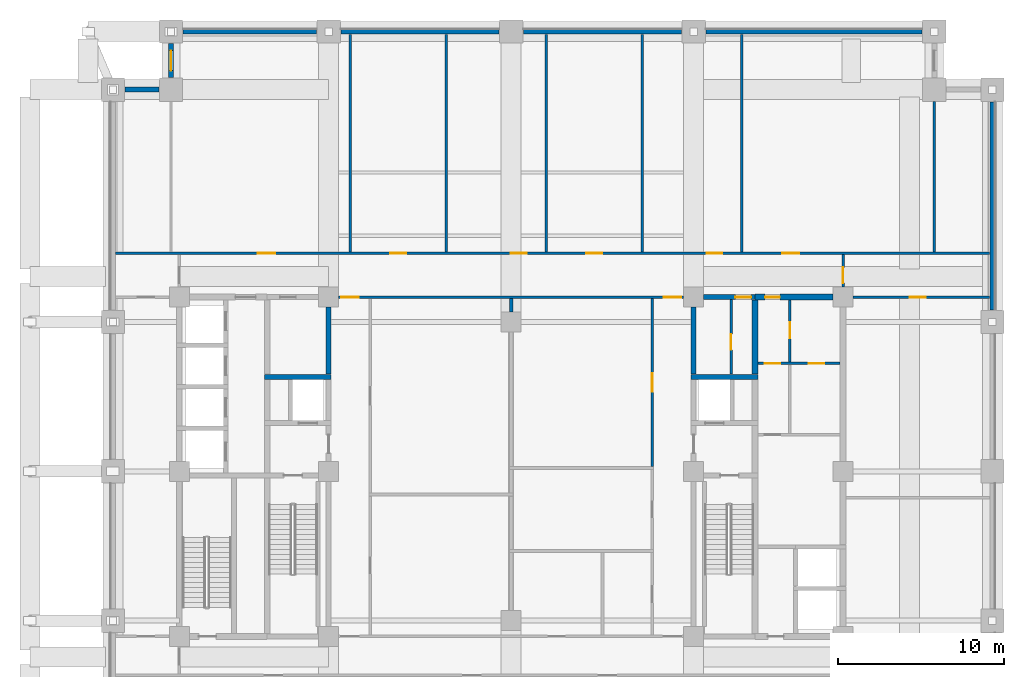
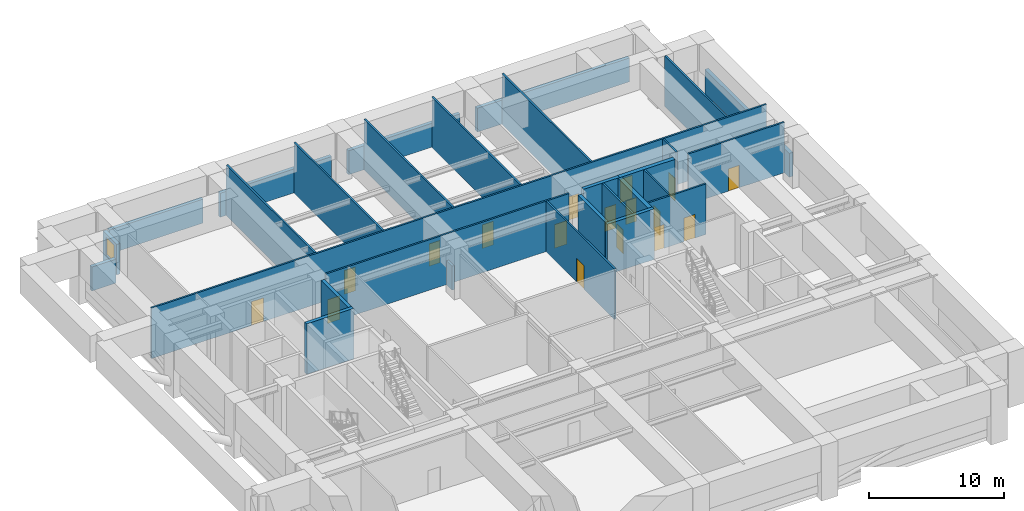
# One storey, part 5 of 11: 29 walls, 17 doors, 1 window, 18 openings.
"""IFC4 building model written with IfcOpenShell, lengths in metres."""

from ifc_helpers import new_model, si_unit, direction, frame, frame_2d, origin, place, context, subcontext, project, spatial, rectangle, extrude, material, layer, layer_set, type_object, element, fill, save


model = new_model("IFC4")

# Units and contexts
model_context = context("Model", 3, precision=1e-05, world=origin(), true_north=direction((0.0, 1.0)))
body_context = subcontext(model_context, "Body", "Model", "MODEL_VIEW")
ifc_project = project(units=[si_unit("LENGTHUNIT", "METRE"), si_unit("AREAUNIT", "SQUARE_METRE"), si_unit("VOLUMEUNIT", "CUBIC_METRE"), si_unit("PLANEANGLEUNIT", "RADIAN"), si_unit("MASSUNIT", "GRAM", prefix="KILO")], contexts=[model_context])

# Site, building, storey
site_placement = place(None, origin())
site = spatial("IfcSite", under=ifc_project, at=site_placement, CompositionType="ELEMENT")
building_placement = place(site_placement, origin())
building = spatial("IfcBuilding", under=site, at=building_placement, Name="Zulmaris Gate Convention Tower", CompositionType="ELEMENT")
storey_placement = place(building_placement, frame((0.0, 0.0, 52.18994140625)))
storey = spatial("IfcBuildingStorey", under=building, at=storey_placement, Name="L12", CompositionType="ELEMENT", Elevation=52.18994140625)

# Walls
ifc_material_1 = material(Name="Concrete C50/60", Category="concrete")
ifc_layer_1 = layer(ifc_material_1, 0.300048828125, Name="Concrete C50/60")
ifc_layer_set_1 = layer_set([ifc_layer_1], Name="Concrete C50/60")
wall_type_1 = type_object("IfcWallType", Name="CORE-300", PredefinedType="SHEAR", material=ifc_layer_set_1)
for number, where, z_axis, x_axis, name in (
    (1, (-14.875, 5.699951171875, 0.0), (0.0, 0.0, 1.0), (1.0, 0.0, 0.0), "WL-L12-013"),
    (2, (10.85009765625, 5.699951171875, 0.0), (0.0, 0.0, 1.0), (1.0, 0.0, 0.0), "WL-L12-014"),
):
    element("IfcWall", number, at=place(storey_placement, frame(where, z_axis=z_axis, x_axis=x_axis)), inside=storey, type_object=wall_type_1, Name=name, PredefinedType="SHEAR", context=body_context, shape_type="SweptSolid", body=[
        extrude(rectangle(XDim=4.02490234375, YDim=0.300048828125, at=frame_2d((2.012451171875, 0.0))), origin(), (0.0, 0.0, 1.0), 4.574951171875),
    ])

# Wall, opening, door
wall_1_placement = place(storey_placement, frame((11.60400390625, 10.5, 0.0), z_axis=(0.0, 0.0, 1.0), x_axis=(1.0, 0.0, 0.0)))
wall_1 = element("IfcWall", 3, at=wall_1_placement, inside=storey, type_object=wall_type_1, Name="WL-L12-018", PredefinedType="SHEAR", context=body_context, shape_type="SweptSolid", body=[
    extrude(rectangle(XDim=3.095947265625, YDim=0.300048828125, at=frame_2d((1.5478515625, 0.0))), origin(), (0.0, 0.0, 1.0), 4.574951171875),
])
opening_1_placement = place(wall_1_placement, frame((1.90087890625, 0.0, 0.0)))
opening_1 = element("IfcOpeningElement", 4, at=opening_1_placement, cuts=wall_1, Name="Opening D-11", PredefinedType="OPENING", context=body_context, shape_type="SweptSolid", body=[
    extrude(rectangle(XDim=0.949951171875, YDim=2.14990234375, at=frame_2d((0.47509765625, 1.074951171875))), frame((0.0, 0.16015625, 0.0), z_axis=(0.0, -1.0, 0.0), x_axis=(1.0, 0.0, 0.0)), (0.0, 0.0, 1.0), 0.320068359375),
])
ifc_material_2 = material(Name="Fire-Rated Timber", Category="wood")
door_type_1 = type_object("IfcDoorType", Name="DR-950-FD", OperationType="NOTDEFINED", PredefinedType="DOOR", material=ifc_material_2)
door_1_placement = place(opening_1_placement, origin())
door_1 = element("IfcDoor", 5, at=door_1_placement, inside=storey, type_object=door_type_1, Name="L12 Core Linen Closet Door 08", OperationType="SINGLE_SWING_RIGHT", OverallHeight=2.14990234375, OverallWidth=0.949951171875, PredefinedType="DOOR", context=body_context, shape_type="SweptSolid", body=[
    extrude(rectangle(XDim=0.949951171875, YDim=2.14990234375, at=frame_2d((0.47509765625, 1.074951171875))), frame((0.0, 0.02490234375, 0.0), z_axis=(0.0, -1.0, 0.0), x_axis=(1.0, 0.0, 0.0)), (0.0, 0.0, 1.0), 0.050048828125),
])
fill(opening_1, door_1)

# Walls
for number, where, z_axis, x_axis, name in (
    (6, (-11.0, 5.85205078125, 0.0), (0.0, 0.0, 1.0), (0.0, 1.0, 0.0), "WL-L12-054"),
    (7, (11.0, 5.85205078125, 0.0), (0.0, 0.0, 1.0), (0.0, 1.0, 0.0), "WL-L12-058"),
):
    element("IfcWall", number, at=place(storey_placement, frame(where, z_axis=z_axis, x_axis=x_axis)), inside=storey, type_object=wall_type_1, Name=name, PredefinedType="SHEAR", context=body_context, shape_type="SweptSolid", body=[
        extrude(rectangle(XDim=4.0439453125, YDim=0.300048828125, at=frame_2d((2.02197265625, 0.0))), origin(), (0.0, 0.0, 1.0), 4.574951171875),
    ])

# Wall, opening, door
ifc_material_3 = material(Name="Concrete C55/67", Category="concrete")
ifc_layer_2 = layer(ifc_material_3, 0.35009765625, Name="Concrete C55/67")
ifc_layer_set_2 = layer_set([ifc_layer_2], Name="Concrete C55/67")
wall_type_2 = type_object("IfcWallType", Name="CORE-350", PredefinedType="SHEAR", material=ifc_layer_set_2)
wall_2_placement = place(storey_placement, frame((14.699951171875, 10.5, 0.0), z_axis=(0.0, 0.0, 1.0), x_axis=(1.0, 0.0, 0.0)))
wall_2 = element("IfcWall", 8, at=wall_2_placement, inside=storey, type_object=wall_type_2, Name="WL-L12-019", PredefinedType="SHEAR", context=body_context, shape_type="SweptSolid", body=[
    extrude(rectangle(XDim=4.696044921875, YDim=0.35009765625, at=frame_2d((2.34814453125, 0.0))), origin(), (0.0, 0.0, 1.0), 4.574951171875),
])
opening_2_placement = place(wall_2_placement, frame((0.60009765625, 0.0, 0.0)))
opening_2 = element("IfcOpeningElement", 9, at=opening_2_placement, cuts=wall_2, Name="Opening D-12", PredefinedType="OPENING", context=body_context, shape_type="SweptSolid", body=[
    extrude(rectangle(XDim=0.89990234375, YDim=2.14990234375, at=frame_2d((0.449951171875, 1.074951171875))), frame((0.0, 0.18505859375, 0.0), z_axis=(0.0, -1.0, 0.0), x_axis=(1.0, 0.0, 0.0)), (0.0, 0.0, 1.0), 0.3701171875),
])
door_type_2 = type_object("IfcDoorType", Name="DR-900-FD", OperationType="NOTDEFINED", PredefinedType="DOOR", material=ifc_material_2)
door_2_placement = place(opening_2_placement, origin())
door_2 = element("IfcDoor", 10, at=door_2_placement, inside=storey, type_object=door_type_2, Name="L12 East Service Passage Door 17", OperationType="SINGLE_SWING_LEFT", OverallHeight=2.14990234375, OverallWidth=0.89990234375, PredefinedType="DOOR", context=body_context, shape_type="SweptSolid", body=[
    extrude(rectangle(XDim=0.89990234375, YDim=2.14990234375, at=frame_2d((0.449951171875, 1.074951171875))), frame((0.0, 0.02490234375, 0.0), z_axis=(0.0, -1.0, 0.0), x_axis=(1.0, 0.0, 0.0)), (0.0, 0.0, 1.0), 0.050048828125),
])
fill(opening_2, door_2)

# Wall
wall_3_placement = place(storey_placement, frame((14.699951171875, 5.85205078125, 0.0), z_axis=(0.0, 0.0, 1.0), x_axis=(0.0, 1.0, 0.0)))
element("IfcWall", 11, at=wall_3_placement, inside=storey, type_object=wall_type_2, Name="WL-L12-064", PredefinedType="SHEAR", context=body_context, shape_type="SweptSolid", body=[
    extrude(rectangle(XDim=4.470947265625, YDim=0.35009765625, at=frame_2d((2.2353515625, 0.0))), origin(), (0.0, 0.0, 1.0), 4.574951171875),
])

# Wall, openings, doors
ifc_material_4 = material(Name="Gypsum Metal Stud Partition")
ifc_layer_3 = layer(ifc_material_4, 0.14990234375, Name="Gypsum Metal Stud Partition")
ifc_layer_set_3 = layer_set([ifc_layer_3], Name="Gypsum Metal Stud Partition")
wall_type_3 = type_object("IfcWallType", Name="PART-150", PredefinedType="PARTITIONING", material=ifc_layer_set_3)
wall_4_placement = place(storey_placement, frame((14.8779296875, 6.5, 0.0), z_axis=(0.0, 0.0, 1.0), x_axis=(1.0, 0.0, 0.0)))
wall_4 = element("IfcWall", 12, at=wall_4_placement, inside=storey, type_object=wall_type_3, Name="WL-L12-030", PredefinedType="PARTITIONING", context=body_context, shape_type="SweptSolid", body=[
    extrude(rectangle(XDim=4.944091796875, YDim=0.14990234375, at=frame_2d((2.47216796875, 0.0))), origin(), (0.0, 0.0, 1.0), 4.574951171875),
])
opening_3_placement = place(wall_4_placement, frame((0.39697265625, 0.0, 0.0)))
opening_3 = element("IfcOpeningElement", 13, at=opening_3_placement, cuts=wall_4, Name="Opening D-11", PredefinedType="OPENING", context=body_context, shape_type="SweptSolid", body=[
    extrude(rectangle(XDim=0.949951171875, YDim=2.14990234375, at=frame_2d((0.47509765625, 1.074951171875))), frame((0.0, 0.0849609375, 0.0), z_axis=(0.0, -1.0, 0.0), x_axis=(1.0, 0.0, 0.0)), (0.0, 0.0, 1.0), 0.169921875),
])
opening_4_placement = place(wall_4_placement, frame((3.047119140625, 0.0, 0.0)))
opening_4 = element("IfcOpeningElement", 14, at=opening_4_placement, cuts=wall_4, Name="Opening D-11", PredefinedType="OPENING", context=body_context, shape_type="SweptSolid", body=[
    extrude(rectangle(XDim=0.949951171875, YDim=2.14990234375, at=frame_2d((0.47509765625, 1.074951171875))), frame((0.0, 0.0849609375, 0.0), z_axis=(0.0, -1.0, 0.0), x_axis=(1.0, 0.0, 0.0)), (0.0, 0.0, 1.0), 0.169921875),
])
door_3_placement = place(opening_3_placement, origin())
door_3 = element("IfcDoor", 15, at=door_3_placement, inside=storey, type_object=door_type_1, Name="L12 East Staff WC Door 18", OperationType="SINGLE_SWING_RIGHT", OverallHeight=2.14990234375, OverallWidth=0.949951171875, PredefinedType="DOOR", context=body_context, shape_type="SweptSolid", body=[
    extrude(rectangle(XDim=0.949951171875, YDim=2.14990234375, at=frame_2d((0.47509765625, 1.074951171875))), frame((0.0, 0.02490234375, 0.0), z_axis=(0.0, -1.0, 0.0), x_axis=(1.0, 0.0, 0.0)), (0.0, 0.0, 1.0), 0.050048828125),
])
fill(opening_3, door_3)
door_4_placement = place(opening_4_placement, origin())
door_4 = element("IfcDoor", 16, at=door_4_placement, inside=storey, type_object=door_type_1, Name="L12 East Catering Store Door 21", OperationType="SINGLE_SWING_LEFT", OverallHeight=2.14990234375, OverallWidth=0.949951171875, PredefinedType="DOOR", context=body_context, shape_type="SweptSolid", body=[
    extrude(rectangle(XDim=0.949951171875, YDim=2.14990234375, at=frame_2d((0.47509765625, 1.074951171875))), frame((0.0, 0.02490234375, 0.0), z_axis=(0.0, -1.0, 0.0), x_axis=(1.0, 0.0, 0.0)), (0.0, 0.0, 1.0), 0.050048828125),
])
fill(opening_4, door_4)

wall_5_placement = place(storey_placement, frame((-10.39404296875, 10.5, 0.0), z_axis=(0.0, 0.0, 1.0), x_axis=(1.0, 0.0, 0.0)))
wall_5 = element("IfcWall", 17, at=wall_5_placement, inside=storey, type_object=wall_type_3, Name="WL-L12-032", PredefinedType="PARTITIONING", context=body_context, shape_type="SweptSolid", body=[
    extrude(rectangle(XDim=20.7880859375, YDim=0.14990234375, at=frame_2d((10.39404296875, 0.0))), origin(), (0.0, 0.0, 1.0), 4.574951171875),
])
opening_5_placement = place(wall_5_placement, frame((0.14990234375, 0.0, 0.0)))
opening_5 = element("IfcOpeningElement", 18, at=opening_5_placement, cuts=wall_5, Name="Opening D-09", PredefinedType="OPENING", context=body_context, shape_type="SweptSolid", body=[
    extrude(rectangle(XDim=1.050048828125, YDim=2.14990234375, at=frame_2d((0.52490234375, 1.074951171875))), frame((0.0, 0.0849609375, 0.0), z_axis=(0.0, -1.0, 0.0), x_axis=(1.0, 0.0, 0.0)), (0.0, 0.0, 1.0), 0.169921875),
])
opening_6_placement = place(wall_5_placement, frame((19.587890625, 0.0, 0.0)))
opening_6 = element("IfcOpeningElement", 19, at=opening_6_placement, cuts=wall_5, Name="Opening D-09", PredefinedType="OPENING", context=body_context, shape_type="SweptSolid", body=[
    extrude(rectangle(XDim=1.050048828125, YDim=2.14990234375, at=frame_2d((0.52490234375, 1.074951171875))), frame((0.0, 0.0849609375, 0.0), z_axis=(0.0, -1.0, 0.0), x_axis=(1.0, 0.0, 0.0)), (0.0, 0.0, 1.0), 0.169921875),
])
ifc_material_5 = material(Name="Fire-Rated Steel", Category="steel")
door_type_3 = type_object("IfcDoorType", Name="DR-1050-FD", OperationType="NOTDEFINED", PredefinedType="DOOR", material=ifc_material_5)
door_5_placement = place(opening_5_placement, origin())
door_5 = element("IfcDoor", 20, at=door_5_placement, inside=storey, type_object=door_type_3, Name="L12 NW Spine Link Door 22", OperationType="SINGLE_SWING_RIGHT", OverallHeight=2.14990234375, OverallWidth=1.050048828125, PredefinedType="DOOR", context=body_context, shape_type="SweptSolid", body=[
    extrude(rectangle(XDim=1.050048828125, YDim=2.14990234375, at=frame_2d((0.52490234375, 1.074951171875))), frame((0.0, 0.02490234375, 0.0), z_axis=(0.0, -1.0, 0.0), x_axis=(1.0, 0.0, 0.0)), (0.0, 0.0, 1.0), 0.050048828125),
])
fill(opening_5, door_5)
door_6_placement = place(opening_6_placement, origin())
door_6 = element("IfcDoor", 21, at=door_6_placement, inside=storey, type_object=door_type_3, Name="L12 NE Spine Link Door 24", OperationType="SINGLE_SWING_RIGHT", OverallHeight=2.14990234375, OverallWidth=1.050048828125, PredefinedType="DOOR", context=body_context, shape_type="SweptSolid", body=[
    extrude(rectangle(XDim=1.050048828125, YDim=2.14990234375, at=frame_2d((0.52490234375, 1.074951171875))), frame((0.0, 0.02490234375, 0.0), z_axis=(0.0, -1.0, 0.0), x_axis=(1.0, 0.0, 0.0)), (0.0, 0.0, 1.0), 0.050048828125),
])
fill(opening_6, door_6)

# Wall, opening, door
wall_6_placement = place(storey_placement, frame((20.60595703125, 10.5, 0.0), z_axis=(0.0, 0.0, 1.0), x_axis=(1.0, 0.0, 0.0)))
wall_6 = element("IfcWall", 22, at=wall_6_placement, inside=storey, type_object=wall_type_3, Name="WL-L12-033", PredefinedType="PARTITIONING", context=body_context, shape_type="SweptSolid", body=[
    extrude(rectangle(XDim=8.22900390625, YDim=0.14990234375, at=frame_2d((4.114501953125, 0.0))), origin(), (0.0, 0.0, 1.0), 4.574951171875),
])
opening_7_placement = place(wall_6_placement, frame((3.4189453125, 0.0, 0.0)))
opening_7 = element("IfcOpeningElement", 23, at=opening_7_placement, cuts=wall_6, Name="Opening D-25", PredefinedType="OPENING", context=body_context, shape_type="SweptSolid", body=[
    extrude(rectangle(XDim=0.949951171875, YDim=2.02001953125, at=frame_2d((0.47509765625, 1.010009765625))), frame((0.0, 0.0849609375, 0.0), z_axis=(0.0, -1.0, 0.0), x_axis=(1.0, 0.0, 0.0)), (0.0, 0.0, 1.0), 0.169921875),
])
door_type_4 = type_object("IfcDoorType", Name="DR-950-LOW-FD", OperationType="NOTDEFINED", PredefinedType="DOOR", material=ifc_material_5)
door_7_placement = place(opening_7_placement, origin())
door_7 = element("IfcDoor", 24, at=door_7_placement, inside=storey, type_object=door_type_4, Name="L12 NE Partner Door 47", OperationType="SINGLE_SWING_LEFT", OverallHeight=2.02001953125, OverallWidth=0.949951171875, PredefinedType="DOOR", context=body_context, shape_type="SweptSolid", body=[
    extrude(rectangle(XDim=0.949951171875, YDim=2.02001953125, at=frame_2d((0.47509765625, 1.010009765625))), frame((0.0, 0.02490234375, 0.0), z_axis=(0.0, -1.0, 0.0), x_axis=(1.0, 0.0, 0.0)), (0.0, 0.0, 1.0), 0.050048828125),
])
fill(opening_7, door_7)

# Wall, openings, doors
wall_7_placement = place(storey_placement, frame((-23.8349609375, 13.14990234375, 0.0), z_axis=(0.0, 0.0, 1.0), x_axis=(1.0, 0.0, 0.0)))
wall_7 = element("IfcWall", 25, at=wall_7_placement, inside=storey, type_object=wall_type_3, Name="WL-L12-034", PredefinedType="PARTITIONING", context=body_context, shape_type="SweptSolid", body=[
    extrude(rectangle(XDim=52.669921875, YDim=0.14990234375, at=frame_2d((26.3349609375, 0.0))), origin(), (0.0, 0.0, 1.0), 4.574951171875),
])
opening_8_placement = place(wall_7_placement, frame((8.56005859375, 0.0, 0.0)))
opening_8 = element("IfcOpeningElement", 26, at=opening_8_placement, cuts=wall_7, Name="Opening D-09", PredefinedType="OPENING", context=body_context, shape_type="SweptSolid", body=[
    extrude(rectangle(XDim=1.050048828125, YDim=2.14990234375, at=frame_2d((0.52490234375, 1.074951171875))), frame((0.0, 0.0849609375, 0.0), z_axis=(0.0, -1.0, 0.0), x_axis=(1.0, 0.0, 0.0)), (0.0, 0.0, 1.0), 0.169921875),
])
opening_9_placement = place(wall_7_placement, frame((16.56005859375, 0.0, 0.0)))
opening_9 = element("IfcOpeningElement", 27, at=opening_9_placement, cuts=wall_7, Name="Opening D-11", PredefinedType="OPENING", context=body_context, shape_type="SweptSolid", body=[
    extrude(rectangle(XDim=0.949951171875, YDim=2.14990234375, at=frame_2d((0.47509765625, 1.074951171875))), frame((0.0, 0.0849609375, 0.0), z_axis=(0.0, -1.0, 0.0), x_axis=(1.0, 0.0, 0.0)), (0.0, 0.0, 1.0), 0.169921875),
])
opening_10_placement = place(wall_7_placement, frame((23.81005859375, 0.0, 0.0)))
opening_10 = element("IfcOpeningElement", 28, at=opening_10_placement, cuts=wall_7, Name="Opening D-25", PredefinedType="OPENING", context=body_context, shape_type="SweptSolid", body=[
    extrude(rectangle(XDim=0.949951171875, YDim=2.02001953125, at=frame_2d((0.47509765625, 1.010009765625))), frame((0.0, 0.0849609375, 0.0), z_axis=(0.0, -1.0, 0.0), x_axis=(1.0, 0.0, 0.0)), (0.0, 0.0, 1.0), 0.169921875),
])
opening_11_placement = place(wall_7_placement, frame((28.360107421875, 0.0, 0.0)))
opening_11 = element("IfcOpeningElement", 29, at=opening_11_placement, cuts=wall_7, Name="Opening D-11", PredefinedType="OPENING", context=body_context, shape_type="SweptSolid", body=[
    extrude(rectangle(XDim=0.949951171875, YDim=2.14990234375, at=frame_2d((0.47509765625, 1.074951171875))), frame((0.0, 0.0849609375, 0.0), z_axis=(0.0, -1.0, 0.0), x_axis=(1.0, 0.0, 0.0)), (0.0, 0.0, 1.0), 0.169921875),
])
opening_12_placement = place(wall_7_placement, frame((35.610107421875, 0.0, 0.0)))
opening_12 = element("IfcOpeningElement", 30, at=opening_12_placement, cuts=wall_7, Name="Opening D-11", PredefinedType="OPENING", context=body_context, shape_type="SweptSolid", body=[
    extrude(rectangle(XDim=0.949951171875, YDim=2.14990234375, at=frame_2d((0.47509765625, 1.074951171875))), frame((0.0, 0.0849609375, 0.0), z_axis=(0.0, -1.0, 0.0), x_axis=(1.0, 0.0, 0.0)), (0.0, 0.0, 1.0), 0.169921875),
])
opening_13_placement = place(wall_7_placement, frame((40.159912109375, 0.0, 0.0)))
opening_13 = element("IfcOpeningElement", 31, at=opening_13_placement, cuts=wall_7, Name="Opening D-09", PredefinedType="OPENING", context=body_context, shape_type="SweptSolid", body=[
    extrude(rectangle(XDim=1.050048828125, YDim=2.14990234375, at=frame_2d((0.52490234375, 1.074951171875))), frame((0.0, 0.0849609375, 0.0), z_axis=(0.0, -1.0, 0.0), x_axis=(1.0, 0.0, 0.0)), (0.0, 0.0, 1.0), 0.169921875),
])
door_8_placement = place(opening_8_placement, origin())
door_8 = element("IfcDoor", 32, at=door_8_placement, inside=storey, type_object=door_type_3, Name="L12 Delegate Business Lounge Door 26", OperationType="SINGLE_SWING_RIGHT", OverallHeight=2.14990234375, OverallWidth=1.050048828125, PredefinedType="DOOR", context=body_context, shape_type="SweptSolid", body=[
    extrude(rectangle(XDim=1.050048828125, YDim=2.14990234375, at=frame_2d((0.52490234375, 1.074951171875))), frame((0.0, 0.02490234375, 0.0), z_axis=(0.0, -1.0, 0.0), x_axis=(1.0, 0.0, 0.0)), (0.0, 0.0, 1.0), 0.050048828125),
])
fill(opening_8, door_8)
door_9_placement = place(opening_13_placement, origin())
door_9 = element("IfcDoor", 33, at=door_9_placement, inside=storey, type_object=door_type_3, Name="L12 Commercial Advisory Office Door 31", OperationType="SINGLE_SWING_LEFT", OverallHeight=2.14990234375, OverallWidth=1.050048828125, PredefinedType="DOOR", context=body_context, shape_type="SweptSolid", body=[
    extrude(rectangle(XDim=1.050048828125, YDim=2.14990234375, at=frame_2d((0.52490234375, 1.074951171875))), frame((0.0, 0.02490234375, 0.0), z_axis=(0.0, -1.0, 0.0), x_axis=(1.0, 0.0, 0.0)), (0.0, 0.0, 1.0), 0.050048828125),
])
fill(opening_13, door_9)
door_10_placement = place(opening_9_placement, origin())
door_10 = element("IfcDoor", 34, at=door_10_placement, inside=storey, type_object=door_type_1, Name="L12 Commercial Advisory Office Door 27", OperationType="SINGLE_SWING_LEFT", OverallHeight=2.14990234375, OverallWidth=0.949951171875, PredefinedType="DOOR", context=body_context, shape_type="SweptSolid", body=[
    extrude(rectangle(XDim=0.949951171875, YDim=2.14990234375, at=frame_2d((0.47509765625, 1.074951171875))), frame((0.0, 0.02490234375, 0.0), z_axis=(0.0, -1.0, 0.0), x_axis=(1.0, 0.0, 0.0)), (0.0, 0.0, 1.0), 0.050048828125),
])
fill(opening_9, door_10)
door_11_placement = place(opening_11_placement, origin())
door_11 = element("IfcDoor", 35, at=door_11_placement, inside=storey, type_object=door_type_1, Name="L12 Client Practice Studio Door 29", OperationType="SINGLE_SWING_LEFT", OverallHeight=2.14990234375, OverallWidth=0.949951171875, PredefinedType="DOOR", context=body_context, shape_type="SweptSolid", body=[
    extrude(rectangle(XDim=0.949951171875, YDim=2.14990234375, at=frame_2d((0.47509765625, 1.074951171875))), frame((0.0, 0.02490234375, 0.0), z_axis=(0.0, -1.0, 0.0), x_axis=(1.0, 0.0, 0.0)), (0.0, 0.0, 1.0), 0.050048828125),
])
fill(opening_11, door_11)
door_12_placement = place(opening_12_placement, origin())
door_12 = element("IfcDoor", 36, at=door_12_placement, inside=storey, type_object=door_type_1, Name="L12 Delegate Business Lounge Door 30", OperationType="SINGLE_SWING_RIGHT", OverallHeight=2.14990234375, OverallWidth=0.949951171875, PredefinedType="DOOR", context=body_context, shape_type="SweptSolid", body=[
    extrude(rectangle(XDim=0.949951171875, YDim=2.14990234375, at=frame_2d((0.47509765625, 1.074951171875))), frame((0.0, 0.02490234375, 0.0), z_axis=(0.0, -1.0, 0.0), x_axis=(1.0, 0.0, 0.0)), (0.0, 0.0, 1.0), 0.050048828125),
])
fill(opening_12, door_12)
door_13_placement = place(opening_10_placement, origin())
door_13 = element("IfcDoor", 37, at=door_13_placement, inside=storey, type_object=door_type_4, Name="L12 Regional Corporate Office Door 28", OperationType="SINGLE_SWING_RIGHT", OverallHeight=2.02001953125, OverallWidth=0.949951171875, PredefinedType="DOOR", context=body_context, shape_type="SweptSolid", body=[
    extrude(rectangle(XDim=0.949951171875, YDim=2.02001953125, at=frame_2d((0.47509765625, 1.010009765625))), frame((0.0, 0.02490234375, 0.0), z_axis=(0.0, -1.0, 0.0), x_axis=(1.0, 0.0, 0.0)), (0.0, 0.0, 1.0), 0.050048828125),
])
fill(opening_10, door_13)

# Walls
for number, where, z_axis, x_axis, name in (
    (38, (-9.699951171875, 13.22802734375, 0.0), (0.0, 0.0, 1.0), (0.0, 1.0, 0.0), "WL-L12-074"),
    (39, (-3.89990234375, 13.22802734375, 0.0), (0.0, 0.0, 1.0), (0.0, 1.0, 0.0), "WL-L12-078"),
    (40, (2.10009765625, 13.22802734375, 0.0), (0.0, 0.0, 1.0), (0.0, 1.0, 0.0), "WL-L12-083"),
    (41, (7.89990234375, 13.22802734375, 0.0), (0.0, 0.0, 1.0), (0.0, 1.0, 0.0), "WL-L12-086"),
):
    element("IfcWall", number, at=place(storey_placement, frame(where, z_axis=z_axis, x_axis=x_axis)), inside=storey, type_object=wall_type_3, Name=name, PredefinedType="PARTITIONING", context=body_context, shape_type="SweptSolid", body=[
        extrude(rectangle(XDim=13.10693359375, YDim=0.14990234375, at=frame_2d((6.553466796875, 0.0))), origin(), (0.0, 0.0, 1.0), 4.574951171875),
    ])

# Wall, opening, door
wall_8_placement = place(storey_placement, frame((8.5, 0.302978515625, 0.0), z_axis=(0.0, 0.0, 1.0), x_axis=(0.0, 1.0, 0.0)))
wall_8 = element("IfcWall", 42, at=wall_8_placement, inside=storey, type_object=wall_type_3, Name="WL-L12-089", PredefinedType="PARTITIONING", context=body_context, shape_type="SweptSolid", body=[
    extrude(rectangle(XDim=10.119140625, YDim=0.14990234375, at=frame_2d((5.0595703125, 0.0))), origin(), (0.0, 0.0, 1.0), 4.574951171875),
])
opening_14_placement = place(wall_8_placement, frame((4.4970703125, 0.0, 0.0)))
opening_14 = element("IfcOpeningElement", 43, at=opening_14_placement, cuts=wall_8, Name="Opening D-08", PredefinedType="OPENING", context=body_context, shape_type="SweptSolid", body=[
    extrude(rectangle(XDim=1.10009765625, YDim=2.14990234375, at=frame_2d((0.550048828125, 1.074951171875))), frame((0.0, 0.0849609375, 0.0), z_axis=(0.0, -1.0, 0.0), x_axis=(1.0, 0.0, 0.0)), (0.0, 0.0, 1.0), 0.169921875),
])
door_type_5 = type_object("IfcDoorType", Name="DR-1100-FD", OperationType="NOTDEFINED", PredefinedType="DOOR", material=ifc_material_5)
door_14_placement = place(opening_14_placement, origin())
door_14 = element("IfcDoor", 44, at=door_14_placement, inside=storey, type_object=door_type_5, Name="L12 Seminar Forum Door 37", OperationType="SINGLE_SWING_LEFT", OverallHeight=2.14990234375, OverallWidth=1.10009765625, PredefinedType="DOOR", context=body_context, shape_type="SweptSolid", body=[
    extrude(rectangle(XDim=1.10009765625, YDim=2.14990234375, at=frame_2d((0.550048828125, 1.074951171875))), frame((0.0, 0.02490234375, 0.0), z_axis=(0.0, -1.0, 0.0), x_axis=(1.0, 0.0, 0.0)), (0.0, 0.0, 1.0), 0.050048828125),
])
fill(opening_14, door_14)

wall_9_placement = place(storey_placement, frame((13.25, 5.85302734375, 0.0), z_axis=(0.0, 0.0, 1.0), x_axis=(0.0, 1.0, 0.0)))
wall_9 = element("IfcWall", 45, at=wall_9_placement, inside=storey, type_object=wall_type_3, Name="WL-L12-090", PredefinedType="PARTITIONING", context=body_context, shape_type="SweptSolid", body=[
    extrude(rectangle(XDim=4.493896484375, YDim=0.14990234375, at=frame_2d((2.2470703125, 0.0))), origin(), (0.0, 0.0, 1.0), 4.574951171875),
])
opening_15_placement = place(wall_9_placement, frame((1.471923828125, 0.0, 0.0)))
opening_15 = element("IfcOpeningElement", 46, at=opening_15_placement, cuts=wall_9, Name="Opening D-11", PredefinedType="OPENING", context=body_context, shape_type="SweptSolid", body=[
    extrude(rectangle(XDim=0.949951171875, YDim=2.14990234375, at=frame_2d((0.47509765625, 1.074951171875))), frame((0.0, 0.0849609375, 0.0), z_axis=(0.0, -1.0, 0.0), x_axis=(1.0, 0.0, 0.0)), (0.0, 0.0, 1.0), 0.169921875),
])
door_15_placement = place(opening_15_placement, origin())
door_15 = element("IfcDoor", 47, at=door_15_placement, inside=storey, type_object=door_type_1, Name="L12 Core Service Pantry Door 09", OperationType="SINGLE_SWING_LEFT", OverallHeight=2.14990234375, OverallWidth=0.949951171875, PredefinedType="DOOR", context=body_context, shape_type="SweptSolid", body=[
    extrude(rectangle(XDim=0.949951171875, YDim=2.14990234375, at=frame_2d((0.47509765625, 1.074951171875))), frame((0.0, 0.02490234375, 0.0), z_axis=(0.0, -1.0, 0.0), x_axis=(1.0, 0.0, 0.0)), (0.0, 0.0, 1.0), 0.050048828125),
])
fill(opening_15, door_15)

# Wall
wall_10_placement = place(storey_placement, frame((13.89990234375, 13.22802734375, 0.0), z_axis=(0.0, 0.0, 1.0), x_axis=(0.0, 1.0, 0.0)))
element("IfcWall", 48, at=wall_10_placement, inside=storey, type_object=wall_type_3, Name="WL-L12-091", PredefinedType="PARTITIONING", context=body_context, shape_type="SweptSolid", body=[
    extrude(rectangle(XDim=13.10693359375, YDim=0.14990234375, at=frame_2d((6.553466796875, 0.0))), origin(), (0.0, 0.0, 1.0), 4.574951171875),
])

# Wall, opening, door
wall_11_placement = place(storey_placement, frame((16.800048828125, 6.577880859375, 0.0), z_axis=(0.0, 0.0, 1.0), x_axis=(0.0, 1.0, 0.0)))
wall_11 = element("IfcWall", 49, at=wall_11_placement, inside=storey, type_object=wall_type_3, Name="WL-L12-093", PredefinedType="PARTITIONING", context=body_context, shape_type="SweptSolid", body=[
    extrude(rectangle(XDim=3.744140625, YDim=0.14990234375, at=frame_2d((1.8720703125, 0.0))), origin(), (0.0, 0.0, 1.0), 4.574951171875),
])
opening_16_placement = place(wall_11_placement, frame((1.447021484375, 0.0, 0.0)))
opening_16 = element("IfcOpeningElement", 50, at=opening_16_placement, cuts=wall_11, Name="Opening D-11", PredefinedType="OPENING", context=body_context, shape_type="SweptSolid", body=[
    extrude(rectangle(XDim=0.949951171875, YDim=2.14990234375, at=frame_2d((0.47509765625, 1.074951171875))), frame((0.0, 0.0849609375, 0.0), z_axis=(0.0, -1.0, 0.0), x_axis=(1.0, 0.0, 0.0)), (0.0, 0.0, 1.0), 0.169921875),
])
door_16_placement = place(opening_16_placement, origin())
door_16 = element("IfcDoor", 51, at=door_16_placement, inside=storey, type_object=door_type_1, Name="L12 East Vending Pantry Door 20", OperationType="SINGLE_SWING_RIGHT", OverallHeight=2.14990234375, OverallWidth=0.949951171875, PredefinedType="DOOR", context=body_context, shape_type="SweptSolid", body=[
    extrude(rectangle(XDim=0.949951171875, YDim=2.14990234375, at=frame_2d((0.47509765625, 1.074951171875))), frame((0.0, 0.02490234375, 0.0), z_axis=(0.0, -1.0, 0.0), x_axis=(1.0, 0.0, 0.0)), (0.0, 0.0, 1.0), 0.050048828125),
])
fill(opening_16, door_16)

wall_12_placement = place(storey_placement, frame((20.0, 11.10595703125, 0.0), z_axis=(0.0, 0.0, 1.0), x_axis=(0.0, 1.0, 0.0)))
wall_12 = element("IfcWall", 52, at=wall_12_placement, inside=storey, type_object=wall_type_3, Name="WL-L12-095", PredefinedType="PARTITIONING", context=body_context, shape_type="SweptSolid", body=[
    extrude(rectangle(XDim=1.966064453125, YDim=0.14990234375, at=frame_2d((0.98291015625, 0.0))), origin(), (0.0, 0.0, 1.0), 4.574951171875),
])
opening_17_placement = place(wall_12_placement, frame((0.239013671875, 0.0, 0.0)))
opening_17 = element("IfcOpeningElement", 53, at=opening_17_placement, cuts=wall_12, Name="Opening D-25", PredefinedType="OPENING", context=body_context, shape_type="SweptSolid", body=[
    extrude(rectangle(XDim=0.949951171875, YDim=2.02001953125, at=frame_2d((0.47509765625, 1.010009765625))), frame((0.0, 0.0849609375, 0.0), z_axis=(0.0, -1.0, 0.0), x_axis=(1.0, 0.0, 0.0)), (0.0, 0.0, 1.0), 0.169921875),
])
door_17_placement = place(opening_17_placement, origin())
door_17 = element("IfcDoor", 54, at=door_17_placement, inside=storey, type_object=door_type_4, Name="L12 NE Spur Door 45", OperationType="SINGLE_SWING_LEFT", OverallHeight=2.02001953125, OverallWidth=0.949951171875, PredefinedType="DOOR", context=body_context, shape_type="SweptSolid", body=[
    extrude(rectangle(XDim=0.949951171875, YDim=2.02001953125, at=frame_2d((0.47509765625, 1.010009765625))), frame((0.0, 0.02490234375, 0.0), z_axis=(0.0, -1.0, 0.0), x_axis=(1.0, 0.0, 0.0)), (0.0, 0.0, 1.0), 0.050048828125),
])
fill(opening_17, door_17)

# Walls
wall_13_placement = place(storey_placement, frame((25.5, 13.22802734375, 0.0), z_axis=(0.0, 0.0, 1.0), x_axis=(0.0, 1.0, 0.0)))
element("IfcWall", 55, at=wall_13_placement, inside=storey, type_object=wall_type_3, Name="WL-L12-097", PredefinedType="PARTITIONING", context=body_context, shape_type="SweptSolid", body=[
    extrude(rectangle(XDim=9.06591796875, YDim=0.14990234375, at=frame_2d((4.532958984375, 0.0))), origin(), (0.0, 0.0, 1.0), 4.574951171875),
])
ifc_material_6 = material(Name="Autoclaved Aerated Concrete Block and Plasterboard", Category="concrete")
ifc_layer_4 = layer(ifc_material_6, 0.199951171875, Name="Autoclaved Aerated Concrete Block and Plasterboard")
ifc_layer_set_4 = layer_set([ifc_layer_4], Name="Autoclaved Aerated Concrete Block and Plasterboard")
wall_type_4 = type_object("IfcWallType", Name="PART-200", PredefinedType="PARTITIONING", material=ifc_layer_set_4)
wall_14_placement = place(storey_placement, frame((0.0, 9.60595703125, 0.0), z_axis=(0.0, 0.0, 1.0), x_axis=(0.0, 1.0, 0.0)))
element("IfcWall", 56, at=wall_14_placement, inside=storey, type_object=wall_type_4, Name="WL-L12-082S1", PredefinedType="PARTITIONING", context=body_context, shape_type="SweptSolid", body=[
    extrude(rectangle(XDim=0.816162109375, YDim=0.199951171875, at=frame_2d((0.408203125, 0.0))), origin(), (0.0, 0.0, 1.0), 2.1669921875),
])

# Wall, opening, window
ifc_material_7 = material(Name="Precast concrete C40/50", Category="concrete")
ifc_layer_5 = layer(ifc_material_7, 0.300048828125, Name="Precast concrete C40/50")
ifc_layer_set_5 = layer_set([ifc_layer_5], Name="Precast concrete C40/50")
wall_type_5 = type_object("IfcWallType", Name="PRECAST-PIER-300", PredefinedType="STANDARD", material=ifc_layer_set_5)
wall_15_placement = place(storey_placement, frame((-20.5, 25.77001953125, 0.0), z_axis=(0.0, 0.0, 1.0), x_axis=(0.0, -1.0, 0.0)))
wall_15 = element("IfcWall", 57, at=wall_15_placement, inside=storey, type_object=wall_type_5, Name="EW-L12-NOTCH-NW1_0", PredefinedType="STANDARD", context=body_context, shape_type="SweptSolid", body=[
    extrude(rectangle(XDim=2.0400390625, YDim=0.300048828125, at=frame_2d((1.02001953125, 0.0))), origin(), (0.0, 0.0, 1.0), 2.766845703125),
])
opening_18_placement = place(wall_15_placement, frame((0.419921875, 0.0, 0.820068359375)))
opening_18 = element("IfcOpeningElement", 58, at=opening_18_placement, cuts=wall_15, Name="Opening W-04", PredefinedType="OPENING", context=body_context, shape_type="SweptSolid", body=[
    extrude(rectangle(XDim=1.199951171875, YDim=1.64990234375, at=frame_2d((0.60009765625, 0.824951171875))), frame((0.0, 0.16015625, 0.0), z_axis=(0.0, -1.0, 0.0), x_axis=(1.0, 0.0, 0.0)), (0.0, 0.0, 1.0), 0.320068359375),
])
ifc_material_8 = material(Name="Low-E Laminated Double Glazing in Aluminium Frame", Category="aluminium")
window_type = type_object("IfcWindowType", Name="WIN-1200x2100", PartitioningType="SINGLE_PANEL", PredefinedType="WINDOW", material=ifc_material_8)
window_placement = place(opening_18_placement, origin())
window = element("IfcWindow", 59, at=window_placement, inside=storey, type_object=window_type, Name="WN-EW-L12-NOTCH-NW1_0", OverallHeight=1.64990234375, OverallWidth=1.199951171875, PartitioningType="SINGLE_PANEL", PredefinedType="WINDOW", context=body_context, shape_type="SweptSolid", body=[
    extrude(rectangle(XDim=1.199951171875, YDim=1.64990234375, at=frame_2d((0.60009765625, 0.824951171875))), frame((0.0, 0.030029296875, 0.0), z_axis=(0.0, -1.0, 0.0), x_axis=(1.0, 0.0, 0.0)), (0.0, 0.0, 1.0), 0.06005859375),
])
fill(opening_18, window)

# Walls
wall_16_placement = place(storey_placement, frame((-21.22998046875, 23.0, 0.0), z_axis=(0.0, 0.0, 1.0), x_axis=(-1.0, 0.0, 0.0)))
element("IfcWall", 60, at=wall_16_placement, inside=storey, type_object=wall_type_5, Name="EW-L12-NOTCH-NW2_0", PredefinedType="STANDARD", context=body_context, shape_type="SweptSolid", body=[
    extrude(rectangle(XDim=2.0400390625, YDim=0.300048828125, at=frame_2d((1.02001953125, 0.0))), origin(), (0.0, 0.0, 1.0), 2.1669921875),
])
wall_17_placement = place(storey_placement, frame((-11.72998046875, 26.5, 0.0), z_axis=(0.0, 0.0, 1.0), x_axis=(-1.0, 0.0, 0.0)))
element("IfcWall", 61, at=wall_17_placement, inside=storey, type_object=wall_type_5, Name="EW-L12-N-0_0", PredefinedType="STANDARD", context=body_context, shape_type="SweptSolid", body=[
    extrude(rectangle(XDim=8.0400390625, YDim=0.300048828125, at=frame_2d((4.02001953125, 0.0))), origin(), (0.0, 0.0, 1.0), 2.1669921875),
])
for number, where, z_axis, x_axis, name in (
    (62, (-0.72998046875, 26.5, 0.0), (0.0, 0.0, 1.0), (-1.0, 0.0, 0.0), "EW-L12-N-1_0"),
    (63, (10.27001953125, 26.5, 0.0), (0.0, 0.0, 1.0), (-1.0, 0.0, 0.0), "EW-L12-N-2_0"),
):
    element("IfcWall", number, at=place(storey_placement, frame(where, z_axis=z_axis, x_axis=x_axis)), inside=storey, type_object=wall_type_5, Name=name, PredefinedType="STANDARD", context=body_context, shape_type="SweptSolid", body=[
        extrude(rectangle(XDim=9.5400390625, YDim=0.300048828125, at=frame_2d((4.77001953125, 0.0))), origin(), (0.0, 0.0, 1.0), 2.1669921875),
    ])
wall_18_placement = place(storey_placement, frame((24.77001953125, 26.5, 0.0), z_axis=(0.0, 0.0, 1.0), x_axis=(-1.0, 0.0, 0.0)))
element("IfcWall", 64, at=wall_18_placement, inside=storey, type_object=wall_type_5, Name="EW-L12-N-3_0", PredefinedType="STANDARD", context=body_context, shape_type="SweptSolid", body=[
    extrude(rectangle(XDim=13.0400390625, YDim=0.300048828125, at=frame_2d((6.52001953125, 0.0))), origin(), (0.0, 0.0, 1.0), 2.1669921875),
])
wall_19_placement = place(storey_placement, frame((29.0, 9.72998046875, 0.0), z_axis=(0.0, 0.0, 1.0), x_axis=(0.0, 1.0, 0.0)))
element("IfcWall", 65, at=wall_19_placement, inside=storey, type_object=wall_type_5, Name="EW-L12-E-3_0", PredefinedType="STANDARD", context=body_context, shape_type="SweptSolid", body=[
    extrude(rectangle(XDim=12.5400390625, YDim=0.300048828125, at=frame_2d((6.27001953125, 0.0))), origin(), (0.0, 0.0, 1.0), 2.1669921875),
])

save(model, "model.ifc")
